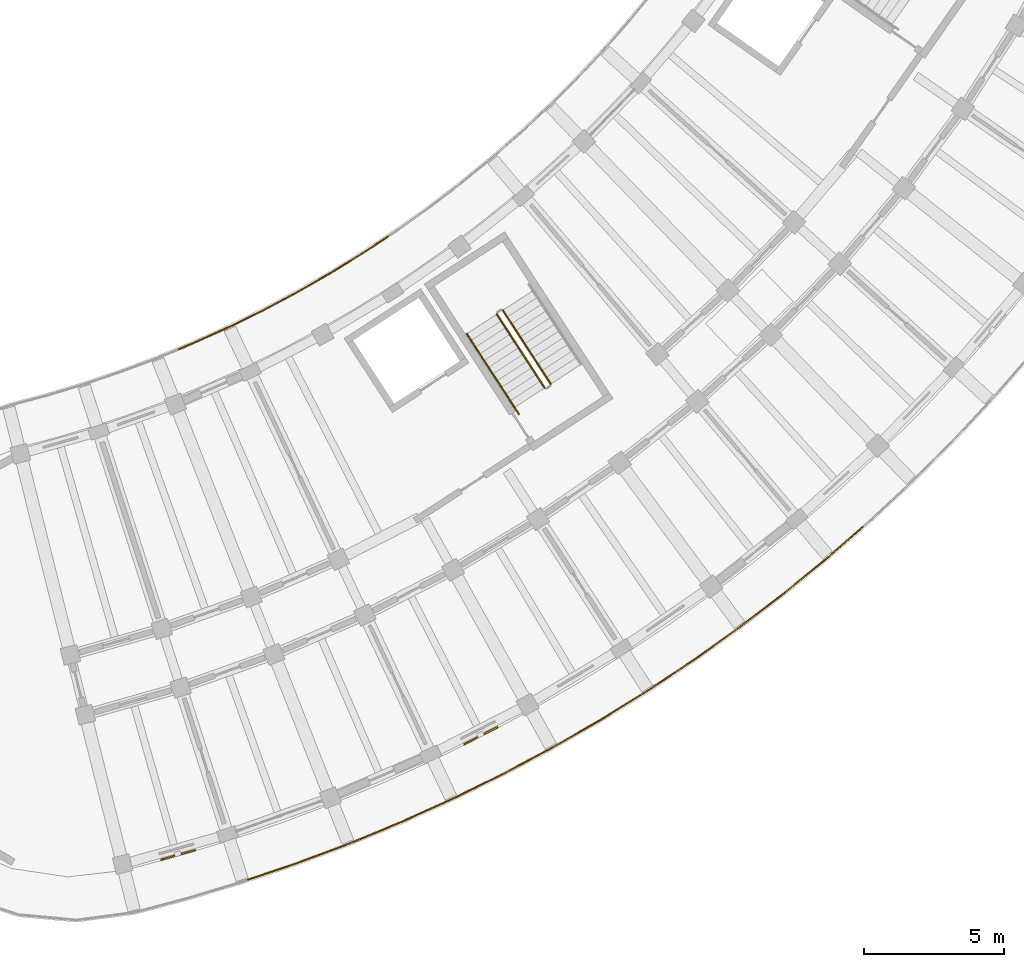
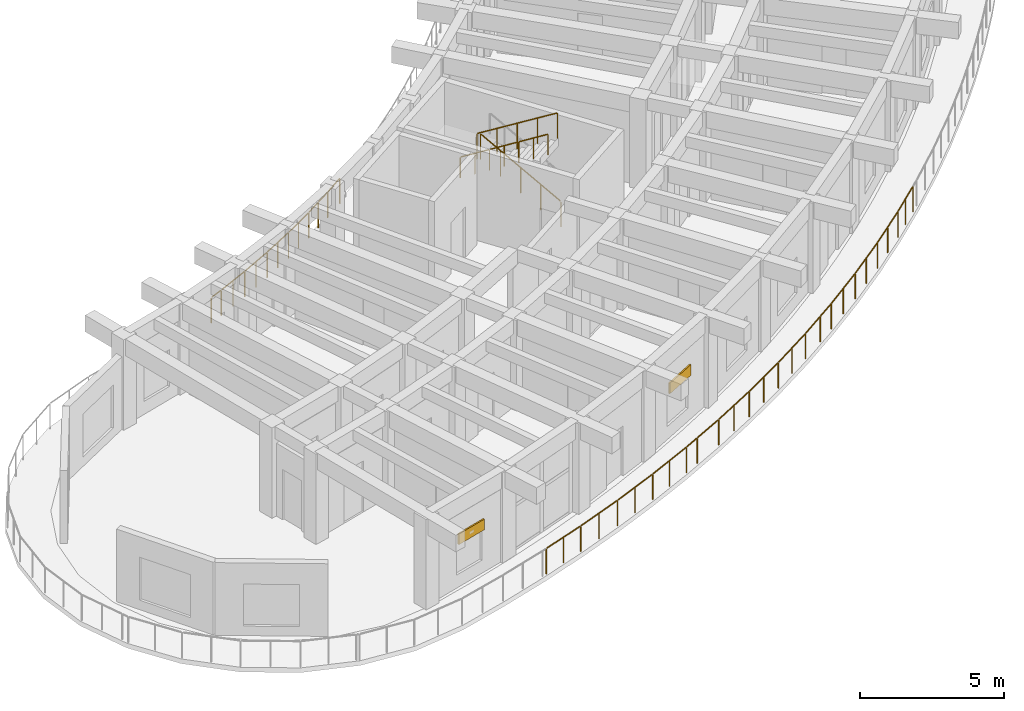
# One storey, part 120 of 128: 9 railings, 2 shading devices.
"""IFC4 building model written with IfcOpenShell, lengths in metres."""

from ifc_helpers import new_model, si_unit, direction, frame, origin, origin_2d, place, context, subcontext, project, spatial, rectangle, circle, extrude, material, layer, layer_set, type_object, element, save


model = new_model("IFC4")

# Units and contexts
model_context = context("Model", 3, precision=1e-05, world=origin(), true_north=direction((0.0, 1.0)))
body_context = subcontext(model_context, "Body", "Model", "MODEL_VIEW")
ifc_project = project(units=[si_unit("LENGTHUNIT", "METRE"), si_unit("AREAUNIT", "SQUARE_METRE"), si_unit("VOLUMEUNIT", "CUBIC_METRE"), si_unit("PLANEANGLEUNIT", "RADIAN"), si_unit("MASSUNIT", "GRAM", prefix="KILO")], contexts=[model_context])

# Site, building, storey
site_placement = place(None, origin())
site = spatial("IfcSite", under=ifc_project, at=site_placement, CompositionType="ELEMENT")
building_placement = place(site_placement, origin())
building = spatial("IfcBuilding", under=site, at=building_placement, Name="Tanwirah Colonnade Gardens", CompositionType="ELEMENT")
storey_placement = place(building_placement, frame((0.0, 0.0, 4.760009765625)))
storey = spatial("IfcBuildingStorey", under=building, at=storey_placement, Name="L01", CompositionType="ELEMENT", Elevation=4.760009765625)

# Railings
ifc_material_1 = material(Name="Precast concrete C40/50", Category="concrete")
railing_type_1 = type_object("IfcRailingType", Name="BAL-EXT110", PredefinedType="BALUSTRADE", material=ifc_material_1)
railing_1_placement = place(storey_placement, frame((137.40625, 25.105224609375, 0.0)))
element("IfcRailing", 1, at=railing_1_placement, inside=storey, type_object=railing_type_1, Name="Block D L01 Balcony Ribbon Balustrade 2", PredefinedType="BALUSTRADE", context=body_context, shape_type="SweptSolid", body=[
    extrude(circle(Radius=0.02392578125, at=origin_2d()), frame((0.02880859375, 0.011962890625, 1.076171875), z_axis=(0.924304230347, 0.381656507561, 0.0), x_axis=(-0.381656507561, 0.924304230347, 0.0)), (0.0, 0.0, 1.0), 0.506103515625),
    extrude(circle(Radius=0.02392578125, at=origin_2d()), frame((0.556640625, 0.231201171875, 1.076171875), z_axis=(0.911383314029, 0.411558568018, 0.0), x_axis=(-0.411558568018, 0.911383314029, 0.0)), (0.0, 0.0, 1.0), 1.33154296875),
    extrude(circle(Radius=0.02392578125, at=origin_2d()), frame((1.828857421875, 0.80712890625, 1.076171875), z_axis=(0.897349966121, 0.441319655469, 0.0), x_axis=(-0.441319655469, 0.897349966121, 0.0)), (0.0, 0.0, 1.0), 1.33154296875),
    extrude(circle(Radius=0.02392578125, at=origin_2d()), frame((3.081787109375, 1.42431640625, 1.076171875), z_axis=(0.88242081136, 0.470460956593, 0.0), x_axis=(-0.470460956593, 0.88242081136, 0.0)), (0.0, 0.0, 1.0), 1.331298828125),
    extrude(circle(Radius=0.02392578125, at=origin_2d()), frame((4.313720703125, 2.082275390625, 1.076171875), z_axis=(0.866535241782, 0.499115893104, 0.0), x_axis=(-0.499115893104, 0.866535241782, 0.0)), (0.0, 0.0, 1.0), 1.33154296875),
    extrude(circle(Radius=0.02392578125, at=origin_2d()), frame((5.5234375, 2.7802734375, 1.076171875), z_axis=(0.849764617567, 0.527162303973, 0.0), x_axis=(-0.527162303973, 0.849764617567, 0.0)), (0.0, 0.0, 1.0), 1.33154296875),
    extrude(circle(Radius=0.02392578125, at=origin_2d()), frame((6.709716796875, 3.517333984375, 1.076171875), z_axis=(0.832050294338, 0.554700196225, 0.0), x_axis=(-0.554700196225, 0.832050294338, 0.0)), (0.0, 0.0, 1.0), 0.8828125),
    extrude(circle(Radius=0.02099609375, at=origin_2d()), origin(), (0.0, 0.0, 1.0), 1.049072265625),
    extrude(circle(Radius=0.02099609375, at=origin_2d()), frame((0.525634765625, 0.217041015625, 0.0)), (0.0, 0.0, 1.0), 1.049072265625),
    extrude(circle(Radius=0.02099609375, at=origin_2d()), frame((1.163330078125, 0.505126953125, 0.0)), (0.0, 0.0, 1.0), 1.049072265625),
    extrude(circle(Radius=0.02099609375, at=origin_2d()), frame((1.798583984375, 0.7919921875, 0.0)), (0.0, 0.0, 1.0), 1.049072265625),
    extrude(circle(Radius=0.02099609375, at=origin_2d()), frame((2.42626953125, 1.100830078125, 0.0)), (0.0, 0.0, 1.0), 1.049072265625),
    extrude(circle(Radius=0.02099609375, at=origin_2d()), frame((3.0517578125, 1.408447265625, 0.0)), (0.0, 0.0, 1.0), 1.049072265625),
    extrude(circle(Radius=0.02099609375, at=origin_2d()), frame((3.669189453125, 1.737548828125, 0.0)), (0.0, 0.0, 1.0), 1.049072265625),
    extrude(circle(Radius=0.02099609375, at=origin_2d()), frame((4.2841796875, 2.0654296875, 0.0)), (0.0, 0.0, 1.0), 1.049072265625),
    extrude(circle(Radius=0.02099609375, at=origin_2d()), frame((4.890625, 2.41455078125, 0.0)), (0.0, 0.0, 1.0), 1.049072265625),
    extrude(circle(Radius=0.02099609375, at=origin_2d()), frame((5.49462890625, 2.762451171875, 0.0)), (0.0, 0.0, 1.0), 1.049072265625),
    extrude(circle(Radius=0.02099609375, at=origin_2d()), frame((6.089111328125, 3.131103515625, 0.0)), (0.0, 0.0, 1.0), 1.049072265625),
    extrude(circle(Radius=0.02099609375, at=origin_2d()), frame((6.681396484375, 3.49853515625, 0.0)), (0.0, 0.0, 1.0), 1.049072265625),
    extrude(circle(Radius=0.02099609375, at=origin_2d()), frame((7.47021484375, 4.0244140625, 0.0)), (0.0, 0.0, 1.0), 1.049072265625),
])
railing_2_placement = place(storey_placement, frame((161.835693359375, 18.761962890625, 0.0)))
element("IfcRailing", 2, at=railing_2_placement, inside=storey, type_object=railing_type_1, Name="Block D L01 Balcony Ribbon Balustrade 14", PredefinedType="BALUSTRADE", context=body_context, shape_type="SweptSolid", body=[
    extrude(circle(Radius=0.02392578125, at=origin_2d()), frame((-0.0234375, -0.0205078125, 1.076171875), z_axis=(-0.752557964537, -0.658526013163, 0.0), x_axis=(0.658526013163, -0.752557964537, 0.0)), (0.0, 0.0, 1.0), 1.552490234375),
    extrude(circle(Radius=0.02392578125, at=origin_2d()), frame((-1.239501953125, -1.083251953125, 1.076171875), z_axis=(-0.773707873236, -0.633542521771, 0.0), x_axis=(0.633542521771, -0.773707873236, 0.0)), (0.0, 0.0, 1.0), 1.944091796875),
    extrude(circle(Radius=0.02392578125, at=origin_2d()), frame((-2.792724609375, -2.353759765625, 1.076171875), z_axis=(-0.794033083107, -0.607874545388, 0.0), x_axis=(0.607874545388, -0.794033083107, 0.0)), (0.0, 0.0, 1.0), 1.944091796875),
    extrude(circle(Radius=0.02392578125, at=origin_2d()), frame((-4.386474609375, -3.572509765625, 1.076171875), z_axis=(-0.813486769226, -0.581583421612, 0.0), x_axis=(0.581583421612, -0.813486769226, 0.0)), (0.0, 0.0, 1.0), 1.944091796875),
    extrude(circle(Radius=0.02392578125, at=origin_2d()), frame((-6.01953125, -4.73876953125, 1.076171875), z_axis=(-0.832050294338, -0.554700196225, 0.0), x_axis=(0.554700196225, -0.832050294338, 0.0)), (0.0, 0.0, 1.0), 0.802734375),
    extrude(circle(Radius=0.02099609375, at=origin_2d()), origin(), (0.0, 0.0, 1.0), 1.049072265625),
    extrude(circle(Radius=0.02099609375, at=origin_2d()), frame((-0.607666015625, -0.53173828125, 0.0)), (0.0, 0.0, 1.0), 1.049072265625),
    extrude(circle(Radius=0.02099609375, at=origin_2d()), frame((-1.21533203125, -1.0634765625, 0.0)), (0.0, 0.0, 1.0), 1.049072265625),
    extrude(circle(Radius=0.02099609375, at=origin_2d()), frame((-1.99169921875, -1.69921875, 0.0)), (0.0, 0.0, 1.0), 1.049072265625),
    extrude(circle(Radius=0.02099609375, at=origin_2d()), frame((-2.767822265625, -2.334716796875, 0.0)), (0.0, 0.0, 1.0), 1.049072265625),
    extrude(circle(Radius=0.02099609375, at=origin_2d()), frame((-3.564453125, -2.944580078125, 0.0)), (0.0, 0.0, 1.0), 1.049072265625),
    extrude(circle(Radius=0.02099609375, at=origin_2d()), frame((-4.361083984375, -3.554443359375, 0.0)), (0.0, 0.0, 1.0), 1.049072265625),
    extrude(circle(Radius=0.02099609375, at=origin_2d()), frame((-5.17724609375, -4.137939453125, 0.0)), (0.0, 0.0, 1.0), 1.049072265625),
    extrude(circle(Radius=0.02099609375, at=origin_2d()), frame((-5.993408203125, -4.721435546875, 0.0)), (0.0, 0.0, 1.0), 1.049072265625),
    extrude(circle(Radius=0.02099609375, at=origin_2d()), frame((-6.71337890625, -5.201416015625, 0.0)), (0.0, 0.0, 1.0), 1.049072265625),
])
railing_3_placement = place(storey_placement, frame((155.122314453125, 13.560546875, 0.0)))
element("IfcRailing", 3, at=railing_3_placement, inside=storey, type_object=railing_type_1, Name="Block D L01 Balcony Ribbon Balustrade 15", PredefinedType="BALUSTRADE", context=body_context, shape_type="SweptSolid", body=[
    extrude(circle(Radius=0.02392578125, at=origin_2d()), frame((-0.026123046875, -0.017333984375, 1.076171875), z_axis=(-0.832083201048, -0.554650832987, 0.0), x_axis=(0.554650832987, -0.832083201048, 0.0)), (0.0, 0.0, 1.0), 1.078857421875),
    extrude(circle(Radius=0.02392578125, at=origin_2d()), frame((-0.976318359375, -0.649658203125, 1.076171875), z_axis=(-0.84977735452, -0.527141771959, 0.0), x_axis=(0.527141771959, -0.84977735452, 0.0)), (0.0, 0.0, 1.0), 1.9443359375),
    extrude(circle(Radius=0.02392578125, at=origin_2d()), frame((-2.68212890625, -1.70654296875, 1.076171875), z_axis=(-0.866598539642, -0.499005983021, 0.0), x_axis=(0.499005983021, -0.866598539642, 0.0)), (0.0, 0.0, 1.0), 1.94384765625),
    extrude(circle(Radius=0.02392578125, at=origin_2d()), frame((-4.42138671875, -2.706787109375, 1.076171875), z_axis=(-0.882416921514, -0.470468252516, 0.0), x_axis=(0.470468252516, -0.882416921514, 0.0)), (0.0, 0.0, 1.0), 1.944091796875),
    extrude(circle(Radius=0.02392578125, at=origin_2d()), frame((-6.192626953125, -3.650146484375, 1.076171875), z_axis=(-0.897361804375, -0.441295583537, 0.0), x_axis=(0.441295583537, -0.897361804375, 0.0)), (0.0, 0.0, 1.0), 1.2763671875),
    extrude(circle(Radius=0.02099609375, at=origin_2d()), origin(), (0.0, 0.0, 1.0), 1.049072265625),
    extrude(circle(Radius=0.02099609375, at=origin_2d()), frame((-0.94970703125, -0.633056640625, 0.0)), (0.0, 0.0, 1.0), 1.049072265625),
    extrude(circle(Radius=0.02099609375, at=origin_2d()), frame((-1.80224609375, -1.162109375, 0.0)), (0.0, 0.0, 1.0), 1.049072265625),
    extrude(circle(Radius=0.02099609375, at=origin_2d()), frame((-2.655029296875, -1.69091796875, 0.0)), (0.0, 0.0, 1.0), 1.049072265625),
    extrude(circle(Radius=0.02099609375, at=origin_2d()), frame((-3.5244140625, -2.19140625, 0.0)), (0.0, 0.0, 1.0), 1.049072265625),
    extrude(circle(Radius=0.02099609375, at=origin_2d()), frame((-4.393798828125, -2.692138671875, 0.0)), (0.0, 0.0, 1.0), 1.049072265625),
    extrude(circle(Radius=0.02099609375, at=origin_2d()), frame((-5.279296875, -3.1640625, 0.0)), (0.0, 0.0, 1.0), 1.049072265625),
    extrude(circle(Radius=0.02099609375, at=origin_2d()), frame((-6.16455078125, -3.63623046875, 0.0)), (0.0, 0.0, 1.0), 1.049072265625),
    extrude(circle(Radius=0.02099609375, at=origin_2d()), frame((-7.365966796875, -4.22705078125, 0.0)), (0.0, 0.0, 1.0), 1.049072265625),
])
railing_4_placement = place(storey_placement, frame((147.75634765625, 9.33349609375, 0.0)))
element("IfcRailing", 4, at=railing_4_placement, inside=storey, type_object=railing_type_1, Name="Block D L01 Balcony Ribbon Balustrade 16", PredefinedType="BALUSTRADE", context=body_context, shape_type="SweptSolid", body=[
    extrude(circle(Radius=0.02392578125, at=origin_2d()), frame((-0.028076171875, -0.013916015625, 1.076171875), z_axis=(-0.897333348104, -0.441353443831, 0.0), x_axis=(0.441353443831, -0.897333348104, 0.0)), (0.0, 0.0, 1.0), 0.605224609375),
    extrude(circle(Radius=0.02392578125, at=origin_2d()), frame((-0.627685546875, -0.3076171875, 1.076171875), z_axis=(-0.911305810052, -0.411730155035, 0.0), x_axis=(0.411730155035, -0.911305810052, 0.0)), (0.0, 0.0, 1.0), 1.944091796875),
    extrude(circle(Radius=0.02392578125, at=origin_2d()), frame((-2.45654296875, -1.1328125, 1.076171875), z_axis=(-0.924299685122, -0.381667515102, 0.0), x_axis=(0.381667515102, -0.924299685122, 0.0)), (0.0, 0.0, 1.0), 1.944091796875),
    extrude(circle(Radius=0.02392578125, at=origin_2d()), frame((-4.311767578125, -1.897705078125, 1.076171875), z_axis=(-0.93628917395, -0.351230099427, 0.0), x_axis=(0.351230099427, -0.93628917395, 0.0)), (0.0, 0.0, 1.0), 1.9443359375),
    extrude(circle(Radius=0.02392578125, at=origin_2d()), frame((-6.19091796875, -2.6015625, 1.076171875), z_axis=(-0.947300271749, -0.320346991783, 0.0), x_axis=(0.320346991783, -0.947300271749, 0.0)), (0.0, 0.0, 1.0), 1.749755859375),
    extrude(circle(Radius=0.02099609375, at=origin_2d()), origin(), (0.0, 0.0, 1.0), 1.049072265625),
    extrude(circle(Radius=0.02099609375, at=origin_2d()), frame((-0.59912109375, -0.294677734375, 0.0)), (0.0, 0.0, 1.0), 1.049072265625),
    extrude(circle(Radius=0.02099609375, at=origin_2d()), frame((-1.513427734375, -0.707763671875, 0.0)), (0.0, 0.0, 1.0), 1.049072265625),
    extrude(circle(Radius=0.02099609375, at=origin_2d()), frame((-2.427734375, -1.120849609375, 0.0)), (0.0, 0.0, 1.0), 1.049072265625),
    extrude(circle(Radius=0.02099609375, at=origin_2d()), frame((-3.35498046875, -1.50390625, 0.0)), (0.0, 0.0, 1.0), 1.049072265625),
    extrude(circle(Radius=0.02099609375, at=origin_2d()), frame((-4.282470703125, -1.88671875, 0.0)), (0.0, 0.0, 1.0), 1.049072265625),
    extrude(circle(Radius=0.02099609375, at=origin_2d()), frame((-5.221923828125, -2.2392578125, 0.0)), (0.0, 0.0, 1.0), 1.049072265625),
    extrude(circle(Radius=0.02099609375, at=origin_2d()), frame((-6.161376953125, -2.591552734375, 0.0)), (0.0, 0.0, 1.0), 1.049072265625),
    extrude(circle(Radius=0.02099609375, at=origin_2d()), frame((-7.019775390625, -2.8818359375, 0.0)), (0.0, 0.0, 1.0), 1.049072265625),
    extrude(circle(Radius=0.02099609375, at=origin_2d()), frame((-7.878173828125, -3.172119140625, 0.0)), (0.0, 0.0, 1.0), 1.049072265625),
])
ifc_material_2 = material(Name="Powder-coated galvanized steel", Category="steel")
railing_type_2 = type_object("IfcRailingType", Name="GRD-ST110", PredefinedType="GUARDRAIL", material=ifc_material_2)
railing_5_placement = place(storey_placement, frame((150.691162109375, 23.865478515625, 0.169921875)))
element("IfcRailing", 5, at=railing_5_placement, inside=storey, type_object=railing_type_2, Name="L01 ST-D1 stair guard 1", PredefinedType="GUARDRAIL", context=body_context, shape_type="SweptSolid", body=[
    extrude(circle(Radius=0.02392578125, at=origin_2d()), frame((-0.0146484375, 0.0224609375, 1.092041015625), z_axis=(-0.467710535485, 0.720259510459, 0.512321278681), x_axis=(-0.83868730023, -0.544613268689, 0.0)), (0.0, 0.0, 1.0), 3.587646484375),
    extrude(circle(Radius=0.02099609375, at=origin_2d()), origin(), (0.0, 0.0, 1.0), 1.049072265625),
    extrude(circle(Radius=0.02099609375, at=origin_2d()), frame((-0.4267578125, 0.6572265625, 0.467529296875)), (0.0, 0.0, 1.0), 1.049072265625),
    extrude(circle(Radius=0.02099609375, at=origin_2d()), frame((-0.853515625, 1.314453125, 0.93505859375)), (0.0, 0.0, 1.0), 1.049072265625),
    extrude(circle(Radius=0.02099609375, at=origin_2d()), frame((-1.280517578125, 1.971923828125, 1.402587890625)), (0.0, 0.0, 1.0), 1.049072265625),
    extrude(circle(Radius=0.02099609375, at=origin_2d()), frame((-1.707275390625, 2.629150390625, 1.8701171875)), (0.0, 0.0, 1.0), 1.049072265625),
])
railing_6_placement = place(storey_placement, frame((148.765625, 26.35302734375, 2.2099609375)))
element("IfcRailing", 6, at=railing_6_placement, inside=storey, type_object=railing_type_2, Name="L01 ST-D1 stair guard 3", PredefinedType="GUARDRAIL", context=body_context, shape_type="SweptSolid", body=[
    extrude(circle(Radius=0.02392578125, at=origin_2d()), frame((0.0146484375, -0.0224609375, 1.092041015625), z_axis=(0.467762784912, -0.720236978941, 0.512305251991), x_axis=(0.838651727566, 0.544668045556, 0.0)), (0.0, 0.0, 1.0), 3.587890625),
    extrude(circle(Radius=0.02099609375, at=origin_2d()), origin(), (0.0, 0.0, 1.0), 1.049072265625),
    extrude(circle(Radius=0.02099609375, at=origin_2d()), frame((0.4267578125, -0.6572265625, 0.467529296875)), (0.0, 0.0, 1.0), 1.049072265625),
    extrude(circle(Radius=0.02099609375, at=origin_2d()), frame((0.853759765625, -1.314453125, 0.93505859375)), (0.0, 0.0, 1.0), 1.049072265625),
    extrude(circle(Radius=0.02099609375, at=origin_2d()), frame((1.28076171875, -1.971923828125, 1.402587890625)), (0.0, 0.0, 1.0), 1.049072265625),
    extrude(circle(Radius=0.02099609375, at=origin_2d()), frame((1.70751953125, -2.629150390625, 1.8701171875)), (0.0, 0.0, 1.0), 1.049072265625),
])
ifc_material_3 = material(Name="Brushed bronze stainless steel", Category="steel")
railing_type_3 = type_object("IfcRailingType", Name="HR-ST090", PredefinedType="HANDRAIL", material=ifc_material_3)
railing_7_placement = place(storey_placement, frame((147.692138671875, 25.656005859375, 2.2099609375)))
element("IfcRailing", 7, at=railing_7_placement, inside=storey, type_object=railing_type_3, Name="L01 ST-D1 stair handrail 4", PredefinedType="HANDRAIL", context=body_context, shape_type="SweptSolid", body=[
    extrude(circle(Radius=0.02392578125, at=origin_2d()), frame((0.0146484375, -0.0224609375, 0.89208984375), z_axis=(0.466784339114, -0.718524949673, 0.515591192181), x_axis=(0.83858058056, 0.544777578382, 0.0)), (0.0, 0.0, 1.0), 1.26806640625),
    extrude(circle(Radius=0.02099609375, at=origin_2d()), origin(), (0.0, 0.0, 1.0), 0.848876953125),
    extrude(circle(Radius=0.02099609375, at=origin_2d()), frame((0.310546875, -0.47802734375, 0.343017578125)), (0.0, 0.0, 1.0), 0.848876953125),
    extrude(circle(Radius=0.02099609375, at=origin_2d()), frame((0.62109375, -0.9560546875, 0.68603515625)), (0.0, 0.0, 1.0), 0.848876953125),
])
railing_8_placement = place(storey_placement, frame((148.313232421875, 24.699951171875, 2.89599609375)))
element("IfcRailing", 8, at=railing_8_placement, inside=storey, type_object=railing_type_3, Name="L01 ST-D1 stair handrail 5", PredefinedType="HANDRAIL", context=body_context, shape_type="SweptSolid", body=[
    extrude(circle(Radius=0.02392578125, at=origin_2d()), frame((0.0146484375, -0.0224609375, 0.89208984375), z_axis=(0.466579287974, -0.718675214705, 0.515567361072), x_axis=(0.838741915939, 0.544529152982, 0.0)), (0.0, 0.0, 1.0), 1.26806640625),
    extrude(circle(Radius=0.02099609375, at=origin_2d()), origin(), (0.0, 0.0, 1.0), 0.848876953125),
    extrude(circle(Radius=0.02099609375, at=origin_2d()), frame((0.310546875, -0.47802734375, 0.343017578125)), (0.0, 0.0, 1.0), 0.848876953125),
    extrude(circle(Radius=0.02099609375, at=origin_2d()), frame((0.620849609375, -0.956298828125, 0.68603515625)), (0.0, 0.0, 1.0), 0.848876953125),
])
railing_9_placement = place(storey_placement, frame((148.93408203125, 23.74365234375, 3.58203125)))
element("IfcRailing", 9, at=railing_9_placement, inside=storey, type_object=railing_type_3, Name="L01 ST-D1 stair handrail 6", PredefinedType="HANDRAIL", context=body_context, shape_type="SweptSolid", body=[
    extrude(circle(Radius=0.02392578125, at=origin_2d()), frame((0.0146484375, -0.0224609375, 0.89208984375), z_axis=(0.466640815248, -0.718586485455, 0.515635348348), x_axis=(0.838678407117, 0.544626963559, 0.0)), (0.0, 0.0, 1.0), 1.267822265625),
    extrude(circle(Radius=0.02099609375, at=origin_2d()), origin(), (0.0, 0.0, 1.0), 0.848876953125),
    extrude(circle(Radius=0.02099609375, at=origin_2d()), frame((0.310546875, -0.47802734375, 0.343017578125)), (0.0, 0.0, 1.0), 0.848876953125),
    extrude(circle(Radius=0.02099609375, at=origin_2d()), frame((0.620849609375, -0.9560546875, 0.68603515625)), (0.0, 0.0, 1.0), 0.848876953125),
])

# Shading devices
ifc_material_4 = material(Name="Perforated architectural bronze aluminium", Category="aluminium")
ifc_layer = layer(ifc_material_4, 0.050048828125)
ifc_layer_set = layer_set([ifc_layer], Name="Perforated architectural bronze aluminium")
shading_device_type = type_object("IfcShadingDeviceType", Name="SHD-OVH1", PredefinedType="SHUTTER", material=ifc_layer_set)
shading_device_1_placement = place(storey_placement, frame((137.385498046875, 7.0478515625, 1.90478515625), z_axis=(0.0, 0.0, 1.0), x_axis=(0.961860085273, 0.273541909692, 0.0)))
element("IfcShadingDevice", 10, at=shading_device_1_placement, inside=storey, type_object=shading_device_type, Name="Solar shading louver hood D-L01-00", PredefinedType="SHUTTER", context=body_context, shape_type="SweptSolid", body=[
    extrude(rectangle(XDim=1.280029296875, YDim=0.06005859375, at=origin_2d()), origin(), (0.0, 0.0, 1.0), 0.449951171875),
])
shading_device_2_placement = place(storey_placement, frame((148.19873046875, 11.307373046875, 1.9951171875), z_axis=(0.0, 0.0, 1.0), x_axis=(0.890014193904, 0.455932818132, 0.0)))
element("IfcShadingDevice", 11, at=shading_device_2_placement, inside=storey, type_object=shading_device_type, Name="Solar shading louver hood D-L01-03", PredefinedType="SHUTTER", context=body_context, shape_type="SweptSolid", body=[
    extrude(rectangle(XDim=1.360107421875, YDim=0.06005859375, at=origin_2d()), origin(), (0.0, 0.0, 1.0), 0.449951171875),
])

save(model, "model.ifc")
